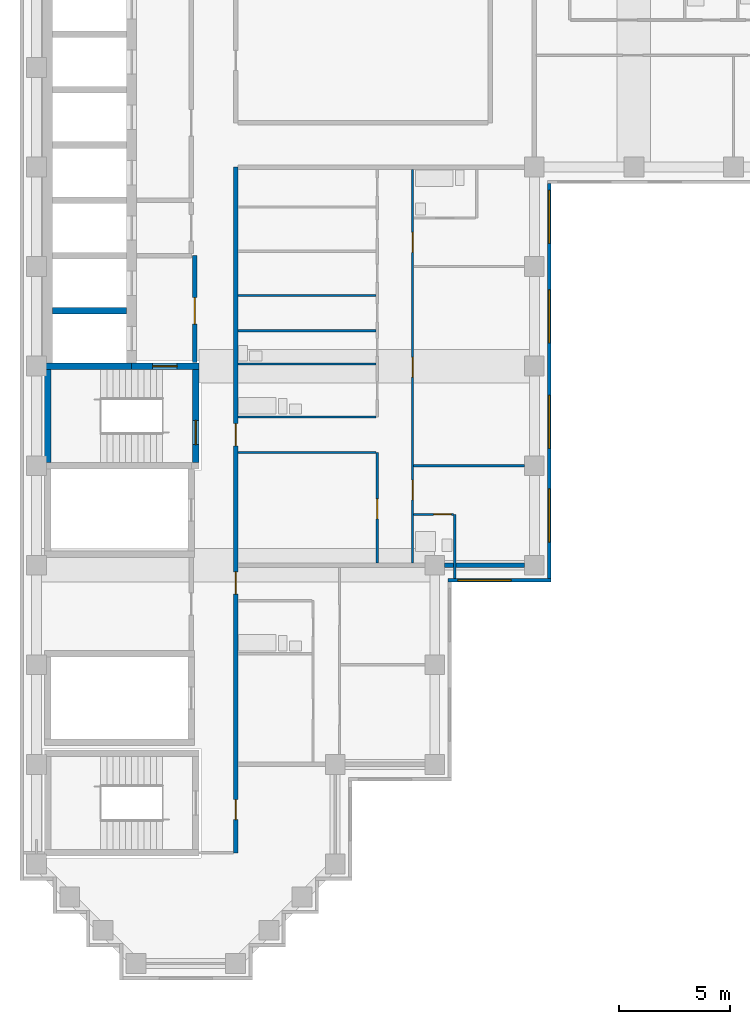
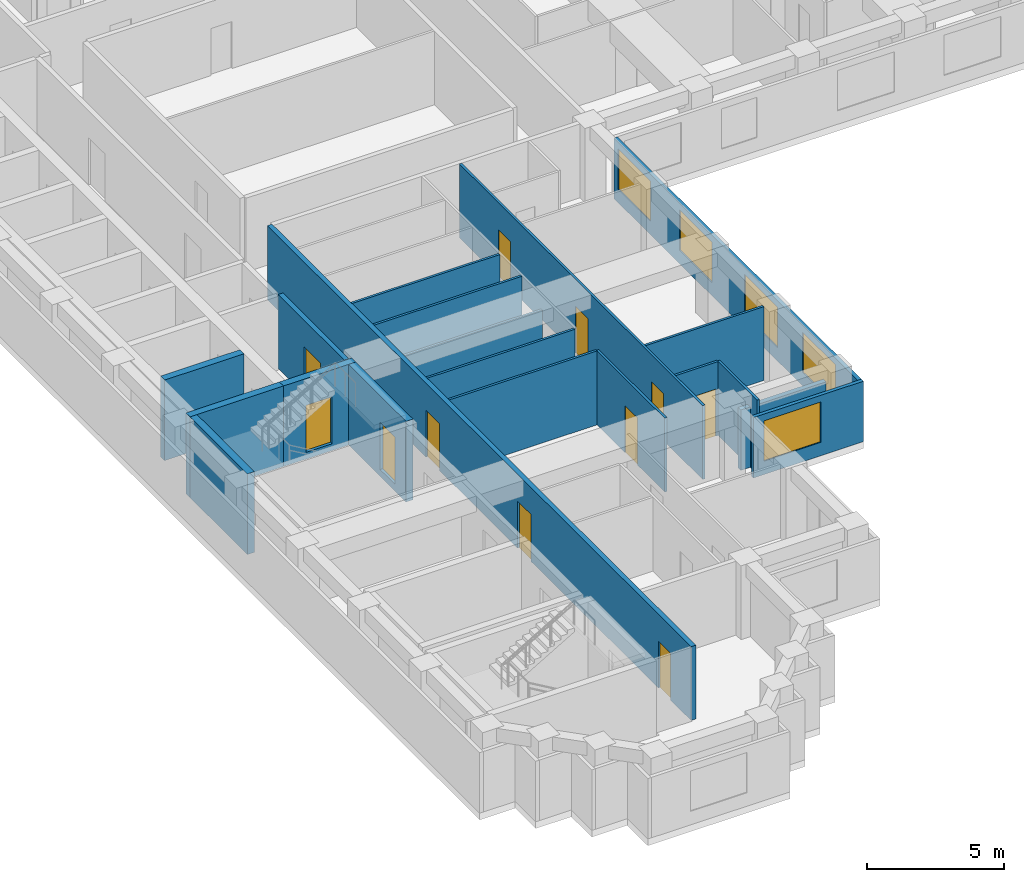
# One storey, part 3 of 10: 20 walls, 11 doors, 5 windows, 16 openings.
"""IFC4 building model written with IfcOpenShell, lengths in metres."""

from ifc_helpers import new_model, si_unit, direction, frame, frame_2d, origin, place, context, subcontext, project, spatial, rectangle, extrude, material, layer, layer_set, type_object, element, fill, save


model = new_model("IFC4")

# Units and contexts
model_context = context("Model", 3, precision=1e-05, world=origin(), true_north=direction((0.0, 1.0)))
body_context = subcontext(model_context, "Body", "Model", "MODEL_VIEW")
ifc_project = project(units=[si_unit("LENGTHUNIT", "METRE"), si_unit("AREAUNIT", "SQUARE_METRE"), si_unit("VOLUMEUNIT", "CUBIC_METRE"), si_unit("PLANEANGLEUNIT", "RADIAN"), si_unit("MASSUNIT", "GRAM", prefix="KILO")], contexts=[model_context])

# Site, building, storey
site_placement = place(None, origin())
site = spatial("IfcSite", under=ifc_project, at=site_placement, CompositionType="ELEMENT")
building_placement = place(site_placement, origin())
building = spatial("IfcBuilding", under=site, at=building_placement, Name="Firuza Court", CompositionType="ELEMENT")
storey_placement = place(building_placement, frame((0.0, 0.0, 197.0)))
storey = spatial("IfcBuildingStorey", under=building, at=storey_placement, Name="L50", CompositionType="ELEMENT", Elevation=197.0)

# Wall
ifc_material_1 = material(Name="Moisture-resistant gypsum board partition")
ifc_layer_1 = layer(ifc_material_1, 0.10009765625)
ifc_layer_set_1 = layer_set([ifc_layer_1], Name="Moisture-resistant gypsum board partition")
wall_type_1 = type_object("IfcWallType", Name="Bathroom partition 100", PredefinedType="PLUMBINGWALL", material=ifc_layer_set_1)
wall_1_placement = place(storey_placement, frame((18.89990234375, 17.39990234375, 0.0), z_axis=(0.0, 0.0, 1.0), x_axis=(0.0, 1.0, 0.0)))
element("IfcWall", 1, at=wall_1_placement, inside=storey, type_object=wall_type_1, Name="Bathroom partition 100 L50", PredefinedType="PLUMBINGWALL", context=body_context, shape_type="SweptSolid", body=[
    extrude(rectangle(XDim=2.900146484375, YDim=0.10009765625, at=frame_2d((1.4501953125, 0.0))), origin(), (0.0, 0.0, 1.0), 3.300048828125),
])

# Wall, opening, door
wall_2_placement = place(storey_placement, frame((17.050048828125, 20.300048828125, 0.0), z_axis=(0.0, 0.0, 1.0), x_axis=(1.0, 0.0, 0.0)))
wall_2 = element("IfcWall", 2, at=wall_2_placement, inside=storey, type_object=wall_type_1, Name="Bathroom partition 100 L50", PredefinedType="PLUMBINGWALL", context=body_context, shape_type="SweptSolid", body=[
    extrude(rectangle(XDim=1.800048828125, YDim=0.10009765625, at=frame_2d((0.89990234375, 0.0))), origin(), (0.0, 0.0, 1.0), 3.300048828125),
])
opening_1_placement = place(wall_2_placement, frame((0.89990234375, 0.0, 0.0)))
opening_1 = element("IfcOpeningElement", 3, at=opening_1_placement, cuts=wall_2, Name="Opening D50028", PredefinedType="OPENING", context=body_context, shape_type="SweptSolid", body=[
    extrude(rectangle(XDim=0.800048828125, YDim=2.10009765625, at=frame_2d((0.39990234375, 1.050048828125))), frame((0.0, 0.06201171875, 0.0), z_axis=(0.0, -1.0, 0.0), x_axis=(1.0, 0.0, 0.0)), (0.0, 0.0, 1.0), 0.1240234375),
])
ifc_material_2 = material(Name="Timber door leaf in hardwood frame", Category="wood")
door_type_1 = type_object("IfcDoorType", Name="Bathroom door 800", OperationType="SINGLE_SWING_LEFT", PredefinedType="DOOR", material=ifc_material_2)
door_1_placement = place(opening_1_placement, frame((0.800048828125, 0.0, 0.0), z_axis=(0.0, 0.0, 1.0), x_axis=(-1.0, 0.0, 0.0)))
door_1 = element("IfcDoor", 4, at=door_1_placement, inside=storey, type_object=door_type_1, Name="En-suite door", OperationType="SINGLE_SWING_LEFT", OverallHeight=2.10009765625, OverallWidth=0.800048828125, PredefinedType="DOOR", context=body_context, shape_type="SweptSolid", body=[
    extrude(rectangle(XDim=0.800048828125, YDim=2.10009765625, at=frame_2d((0.39990234375, 1.050048828125))), frame((0.0, 0.02490234375, 0.0), z_axis=(0.0, -1.0, 0.0), x_axis=(1.0, 0.0, 0.0)), (0.0, 0.0, 1.0), 0.050048828125),
])
fill(opening_1, door_1)

# Walls
wall_3_placement = place(storey_placement, frame((9.10009765625, 24.699951171875, 0.0), z_axis=(0.0, 0.0, 1.0), x_axis=(1.0, 0.0, 0.0)))
element("IfcWall", 5, at=wall_3_placement, inside=storey, type_object=wall_type_1, Name="Bathroom partition 100 L50", PredefinedType="PLUMBINGWALL", context=body_context, shape_type="SweptSolid", body=[
    extrude(rectangle(XDim=6.25, YDim=0.10009765625, at=frame_2d((3.125, 0.0))), origin(), (0.0, 0.0, 1.0), 3.300048828125),
])
wall_4_placement = place(storey_placement, frame((9.10009765625, 27.10009765625, 0.0), z_axis=(0.0, 0.0, 1.0), x_axis=(1.0, 0.0, 0.0)))
element("IfcWall", 6, at=wall_4_placement, inside=storey, type_object=wall_type_1, Name="Bathroom partition 100 L50", PredefinedType="PLUMBINGWALL", context=body_context, shape_type="SweptSolid", body=[
    extrude(rectangle(XDim=6.25, YDim=0.10009765625, at=frame_2d((3.125, 0.0))), origin(), (0.0, 0.0, 1.0), 2.699951171875),
])
wall_5_placement = place(storey_placement, frame((9.10009765625, 28.60009765625, 0.0), z_axis=(0.0, 0.0, 1.0), x_axis=(1.0, 0.0, 0.0)))
element("IfcWall", 7, at=wall_5_placement, inside=storey, type_object=wall_type_1, Name="Bathroom partition 100 L50", PredefinedType="PLUMBINGWALL", context=body_context, shape_type="SweptSolid", body=[
    extrude(rectangle(XDim=6.25, YDim=0.10009765625, at=frame_2d((3.125, 0.0))), origin(), (0.0, 0.0, 1.0), 3.300048828125),
])
ifc_material_3 = material(Name="Concrete C50/60", Category="concrete")
ifc_layer_2 = layer(ifc_material_3, 0.300048828125)
ifc_layer_set_2 = layer_set([ifc_layer_2], Name="Concrete C50/60")
wall_type_2 = type_object("IfcWallType", Name="Core wall 300 C50/60", PredefinedType="SHEAR", material=ifc_layer_set_2)
wall_6_placement = place(storey_placement, frame((0.35009765625, 27.0, -0.300048828125), z_axis=(0.0, 0.0, 1.0), x_axis=(1.0, 0.0, 0.0)))
element("IfcWall", 8, at=wall_6_placement, inside=storey, type_object=wall_type_2, Name="Core wall lift shaft L50", PredefinedType="SHEAR", context=body_context, shape_type="SweptSolid", body=[
    extrude(rectangle(XDim=3.949951171875, YDim=0.300048828125, at=frame_2d((1.97509765625, 0.0))), origin(), (0.0, 0.0, 1.0), 3.60009765625),
])
wall_7_placement = place(storey_placement, frame((0.5, 22.64990234375, -0.300048828125), z_axis=(0.0, 0.0, 1.0), x_axis=(0.0, 1.0, 0.0)))
element("IfcWall", 9, at=wall_7_placement, inside=storey, type_object=wall_type_2, Name="Core wall stair L50", PredefinedType="SHEAR", context=body_context, shape_type="SweptSolid", body=[
    extrude(rectangle(XDim=4.2001953125, YDim=0.300048828125, at=frame_2d((2.10009765625, 0.0))), origin(), (0.0, 0.0, 1.0), 3.60009765625),
])
wall_8_placement = place(storey_placement, frame((0.72509765625, 29.5, -0.300048828125), z_axis=(0.0, 0.0, 1.0), x_axis=(1.0, 0.0, 0.0)))
element("IfcWall", 10, at=wall_8_placement, inside=storey, type_object=wall_type_2, Name="Core wall lift shaft L50", PredefinedType="SHEAR", context=body_context, shape_type="SweptSolid", body=[
    extrude(rectangle(XDim=3.349853515625, YDim=0.300048828125, at=frame_2d((1.6748046875, 0.0))), origin(), (0.0, 0.0, 1.0), 3.60009765625),
])

# Wall, opening, door
wall_9_placement = place(storey_placement, frame((4.300048828125, 27.0, -0.300048828125), z_axis=(0.0, 0.0, 1.0), x_axis=(1.0, 0.0, 0.0)))
wall_9 = element("IfcWall", 11, at=wall_9_placement, inside=storey, type_object=wall_type_2, Name="Core wall stair L50", PredefinedType="SHEAR", context=body_context, shape_type="SweptSolid", body=[
    extrude(rectangle(XDim=3.050048828125, YDim=0.300048828125, at=frame_2d((1.52490234375, 0.0))), origin(), (0.0, 0.0, 1.0), 3.60009765625),
])
opening_2_placement = place(wall_9_placement, frame((0.949951171875, 0.0, 0.300048828125)))
opening_2 = element("IfcOpeningElement", 12, at=opening_2_placement, cuts=wall_9, Name="Opening D50012", PredefinedType="OPENING", context=body_context, shape_type="SweptSolid", body=[
    extrude(rectangle(XDim=1.10009765625, YDim=2.10009765625, at=frame_2d((0.550048828125, 1.050048828125))), frame((0.0, 0.162109375, 0.0), z_axis=(0.0, -1.0, 0.0), x_axis=(1.0, 0.0, 0.0)), (0.0, 0.0, 1.0), 0.323974609375),
])
ifc_material_4 = material(Name="Timber door leaf in hardwood frame", Category="wood")
door_type_2 = type_object("IfcDoorType", Name="Stair door 1100", OperationType="SINGLE_SWING_LEFT", PredefinedType="DOOR", material=ifc_material_4)
door_2_placement = place(opening_2_placement, frame((1.10009765625, 0.0, 0.0), z_axis=(0.0, 0.0, 1.0), x_axis=(-1.0, 0.0, 0.0)))
door_2 = element("IfcDoor", 13, at=door_2_placement, inside=storey, type_object=door_type_2, Name="Fire-fighting lobby door", OperationType="SINGLE_SWING_LEFT", OverallHeight=2.10009765625, OverallWidth=1.10009765625, PredefinedType="DOOR", context=body_context, shape_type="SweptSolid", body=[
    extrude(rectangle(XDim=1.10009765625, YDim=2.10009765625, at=frame_2d((0.550048828125, 1.050048828125))), frame((0.0, 0.02490234375, 0.0), z_axis=(0.0, -1.0, 0.0), x_axis=(1.0, 0.0, 0.0)), (0.0, 0.0, 1.0), 0.050048828125),
])
fill(opening_2, door_2)

wall_10_placement = place(storey_placement, frame((7.199951171875, 22.64990234375, -0.300048828125), z_axis=(0.0, 0.0, 1.0), x_axis=(0.0, 1.0, 0.0)))
wall_10 = element("IfcWall", 14, at=wall_10_placement, inside=storey, type_object=wall_type_2, Name="Core wall stair L50", PredefinedType="SHEAR", context=body_context, shape_type="SweptSolid", body=[
    extrude(rectangle(XDim=4.2001953125, YDim=0.300048828125, at=frame_2d((2.10009765625, 0.0))), origin(), (0.0, 0.0, 1.0), 3.60009765625),
])
opening_3_placement = place(wall_10_placement, frame((0.800048828125, 0.0, 0.300048828125)))
opening_3 = element("IfcOpeningElement", 15, at=opening_3_placement, cuts=wall_10, Name="Opening D50013", PredefinedType="OPENING", context=body_context, shape_type="SweptSolid", body=[
    extrude(rectangle(XDim=1.10009765625, YDim=2.10009765625, at=frame_2d((0.550048828125, 1.050048828125))), frame((0.0, 0.162109375, 0.0), z_axis=(0.0, -1.0, 0.0), x_axis=(1.0, 0.0, 0.0)), (0.0, 0.0, 1.0), 0.323974609375),
])
door_3_placement = place(opening_3_placement, origin())
door_3 = element("IfcDoor", 16, at=door_3_placement, inside=storey, type_object=door_type_2, Name="Stair door S2", OperationType="SINGLE_SWING_LEFT", OverallHeight=2.10009765625, OverallWidth=1.10009765625, PredefinedType="DOOR", context=body_context, shape_type="SweptSolid", body=[
    extrude(rectangle(XDim=1.10009765625, YDim=2.10009765625, at=frame_2d((0.550048828125, 1.050048828125))), frame((0.0, 0.02490234375, 0.0), z_axis=(0.0, -1.0, 0.0), x_axis=(1.0, 0.0, 0.0)), (0.0, 0.0, 1.0), 0.050048828125),
])
fill(opening_3, door_3)

# Wall, openings, doors
ifc_material_5 = material(Name="Blockwork, plastered both sides", Category="masonry")
ifc_layer_3 = layer(ifc_material_5, 0.199951171875)
ifc_layer_set_3 = layer_set([ifc_layer_3], Name="Blockwork, plastered both sides")
wall_type_3 = type_object("IfcWallType", Name="Corridor wall 200", PredefinedType="PARTITIONING", material=ifc_layer_set_3)
wall_11_placement = place(storey_placement, frame((9.0, 5.0, 0.0), z_axis=(0.0, 0.0, 1.0), x_axis=(0.0, 1.0, 0.0)))
wall_11 = element("IfcWall", 17, at=wall_11_placement, inside=storey, type_object=wall_type_3, Name="Corridor wall 200 L50", PredefinedType="PARTITIONING", context=body_context, shape_type="SweptSolid", body=[
    extrude(rectangle(XDim=31.0, YDim=0.199951171875, at=frame_2d((15.5, 0.0))), origin(), (0.0, 0.0, 1.0), 3.300048828125),
])
opening_4_placement = place(wall_11_placement, frame((18.39990234375, 0.0, 0.0)))
opening_4 = element("IfcOpeningElement", 18, at=opening_4_placement, cuts=wall_11, Name="Opening D50016", PredefinedType="OPENING", context=body_context, shape_type="SweptSolid", body=[
    extrude(rectangle(XDim=1.0, YDim=2.10009765625, at=frame_2d((0.5, 1.050048828125))), frame((0.0, 0.11181640625, 0.0), z_axis=(0.0, -1.0, 0.0), x_axis=(1.0, 0.0, 0.0)), (0.0, 0.0, 1.0), 0.223876953125),
])
opening_5_placement = place(wall_11_placement, frame((11.699951171875, 0.0, 0.0)))
opening_5 = element("IfcOpeningElement", 19, at=opening_5_placement, cuts=wall_11, Name="Opening D50017", PredefinedType="OPENING", context=body_context, shape_type="SweptSolid", body=[
    extrude(rectangle(XDim=1.0, YDim=2.10009765625, at=frame_2d((0.5, 1.050048828125))), frame((0.0, 0.11181640625, 0.0), z_axis=(0.0, -1.0, 0.0), x_axis=(1.0, 0.0, 0.0)), (0.0, 0.0, 1.0), 0.223876953125),
])
opening_6_placement = place(wall_11_placement, frame((1.5, 0.0, 0.0)))
opening_6 = element("IfcOpeningElement", 20, at=opening_6_placement, cuts=wall_11, Name="Opening D50018", PredefinedType="OPENING", context=body_context, shape_type="SweptSolid", body=[
    extrude(rectangle(XDim=0.89990234375, YDim=2.10009765625, at=frame_2d((0.449951171875, 1.050048828125))), frame((0.0, 0.11181640625, 0.0), z_axis=(0.0, -1.0, 0.0), x_axis=(1.0, 0.0, 0.0)), (0.0, 0.0, 1.0), 0.223876953125),
])
ifc_material_6 = material(Name="Timber door leaf in hardwood frame", Category="wood")
door_type_3 = type_object("IfcDoorType", Name="Flat entrance door 1000", OperationType="SINGLE_SWING_LEFT", PredefinedType="DOOR", material=ifc_material_6)
door_4_placement = place(opening_4_placement, origin())
door_4 = element("IfcDoor", 21, at=door_4_placement, inside=storey, type_object=door_type_3, Name="Flat entrance door", OperationType="SINGLE_SWING_LEFT", OverallHeight=2.10009765625, OverallWidth=1.0, PredefinedType="DOOR", context=body_context, shape_type="SweptSolid", body=[
    extrude(rectangle(XDim=1.0, YDim=2.10009765625, at=frame_2d((0.5, 1.050048828125))), frame((0.0, 0.02490234375, 0.0), z_axis=(0.0, -1.0, 0.0), x_axis=(1.0, 0.0, 0.0)), (0.0, 0.0, 1.0), 0.050048828125),
])
fill(opening_4, door_4)
door_5_placement = place(opening_5_placement, origin())
door_5 = element("IfcDoor", 22, at=door_5_placement, inside=storey, type_object=door_type_3, Name="Flat entrance door", OperationType="SINGLE_SWING_LEFT", OverallHeight=2.10009765625, OverallWidth=1.0, PredefinedType="DOOR", context=body_context, shape_type="SweptSolid", body=[
    extrude(rectangle(XDim=1.0, YDim=2.10009765625, at=frame_2d((0.5, 1.050048828125))), frame((0.0, 0.02490234375, 0.0), z_axis=(0.0, -1.0, 0.0), x_axis=(1.0, 0.0, 0.0)), (0.0, 0.0, 1.0), 0.050048828125),
])
fill(opening_5, door_5)
ifc_material_7 = material(Name="Timber door leaf in hardwood frame", Category="wood")
door_type_4 = type_object("IfcDoorType", Name="Room door 900 EI 30", OperationType="SINGLE_SWING_LEFT", PredefinedType="DOOR", material=ifc_material_7)
door_6_placement = place(opening_6_placement, frame((0.89990234375, 0.0, 0.0), z_axis=(0.0, 0.0, 1.0), x_axis=(-1.0, 0.0, 0.0)))
door_6 = element("IfcDoor", 23, at=door_6_placement, inside=storey, type_object=door_type_4, Name="Music room door", OperationType="SINGLE_SWING_LEFT", OverallHeight=2.10009765625, OverallWidth=0.89990234375, PredefinedType="DOOR", context=body_context, shape_type="SweptSolid", body=[
    extrude(rectangle(XDim=0.89990234375, YDim=2.10009765625, at=frame_2d((0.449951171875, 1.050048828125))), frame((0.0, 0.02490234375, 0.0), z_axis=(0.0, -1.0, 0.0), x_axis=(1.0, 0.0, 0.0)), (0.0, 0.0, 1.0), 0.050048828125),
])
fill(opening_6, door_6)

# Wall, opening, door
ifc_material_8 = material(Name="Timber stud partition, plasterboard both sides", Category="wood")
ifc_layer_4 = layer(ifc_material_8, 0.10009765625)
ifc_layer_set_4 = layer_set([ifc_layer_4], Name="Timber stud partition, plasterboard both sides")
wall_type_4 = type_object("IfcWallType", Name="Partition wall 100", PredefinedType="PARTITIONING", material=ifc_layer_set_4)
wall_12_placement = place(storey_placement, frame((15.39990234375, 18.10009765625, 0.0), z_axis=(0.0, 0.0, 1.0), x_axis=(0.0, 1.0, 0.0)))
wall_12 = element("IfcWall", 24, at=wall_12_placement, inside=storey, type_object=wall_type_4, Name="Partition wall 100 L50", PredefinedType="PARTITIONING", context=body_context, shape_type="SweptSolid", body=[
    extrude(rectangle(XDim=5.0, YDim=0.10009765625, at=frame_2d((2.5, 0.0))), origin(), (0.0, 0.0, 1.0), 3.300048828125),
])
opening_7_placement = place(wall_12_placement, frame((2.0, 0.0, 0.0)))
opening_7 = element("IfcOpeningElement", 25, at=opening_7_placement, cuts=wall_12, Name="Opening D50024", PredefinedType="OPENING", context=body_context, shape_type="SweptSolid", body=[
    extrude(rectangle(XDim=0.89990234375, YDim=2.10009765625, at=frame_2d((0.449951171875, 1.050048828125))), frame((0.0, 0.06201171875, 0.0), z_axis=(0.0, -1.0, 0.0), x_axis=(1.0, 0.0, 0.0)), (0.0, 0.0, 1.0), 0.1240234375),
])
ifc_material_9 = material(Name="Timber door leaf in hardwood frame", Category="wood")
door_type_5 = type_object("IfcDoorType", Name="Room door 900", OperationType="SINGLE_SWING_LEFT", PredefinedType="DOOR", material=ifc_material_9)
door_7_placement = place(opening_7_placement, origin())
door_7 = element("IfcDoor", 26, at=door_7_placement, inside=storey, type_object=door_type_5, Name="Kitchen door", OperationType="SINGLE_SWING_LEFT", OverallHeight=2.10009765625, OverallWidth=0.89990234375, PredefinedType="DOOR", context=body_context, shape_type="SweptSolid", body=[
    extrude(rectangle(XDim=0.89990234375, YDim=2.10009765625, at=frame_2d((0.449951171875, 1.050048828125))), frame((0.0, 0.02490234375, 0.0), z_axis=(0.0, -1.0, 0.0), x_axis=(1.0, 0.0, 0.0)), (0.0, 0.0, 1.0), 0.050048828125),
])
fill(opening_7, door_7)

# Wall, openings, doors
wall_13_placement = place(storey_placement, frame((17.0, 18.10009765625, 0.0), z_axis=(0.0, 0.0, 1.0), x_axis=(0.0, 1.0, 0.0)))
wall_13 = element("IfcWall", 27, at=wall_13_placement, inside=storey, type_object=wall_type_4, Name="Partition wall 100 L50", PredefinedType="PARTITIONING", context=body_context, shape_type="SweptSolid", body=[
    extrude(rectangle(XDim=17.7998046875, YDim=0.10009765625, at=frame_2d((8.89990234375, 0.0))), origin(), (0.0, 0.0, 1.0), 3.300048828125),
])
opening_8_placement = place(wall_13_placement, frame((2.85009765625, 0.0, 0.0)))
opening_8 = element("IfcOpeningElement", 28, at=opening_8_placement, cuts=wall_13, Name="Opening D50025", PredefinedType="OPENING", context=body_context, shape_type="SweptSolid", body=[
    extrude(rectangle(XDim=0.89990234375, YDim=2.10009765625, at=frame_2d((0.449951171875, 1.050048828125))), frame((0.0, 0.06201171875, 0.0), z_axis=(0.0, -1.0, 0.0), x_axis=(1.0, 0.0, 0.0)), (0.0, 0.0, 1.0), 0.1240234375),
])
opening_9_placement = place(wall_13_placement, frame((8.39990234375, 0.0, 0.0)))
opening_9 = element("IfcOpeningElement", 29, at=opening_9_placement, cuts=wall_13, Name="Opening D50026", PredefinedType="OPENING", context=body_context, shape_type="SweptSolid", body=[
    extrude(rectangle(XDim=0.89990234375, YDim=2.10009765625, at=frame_2d((0.449951171875, 1.050048828125))), frame((0.0, 0.06201171875, 0.0), z_axis=(0.0, -1.0, 0.0), x_axis=(1.0, 0.0, 0.0)), (0.0, 0.0, 1.0), 0.1240234375),
])
opening_10_placement = place(wall_13_placement, frame((14.050048828125, 0.0, 0.0)))
opening_10 = element("IfcOpeningElement", 30, at=opening_10_placement, cuts=wall_13, Name="Opening D50027", PredefinedType="OPENING", context=body_context, shape_type="SweptSolid", body=[
    extrude(rectangle(XDim=0.89990234375, YDim=2.10009765625, at=frame_2d((0.449951171875, 1.050048828125))), frame((0.0, 0.06201171875, 0.0), z_axis=(0.0, -1.0, 0.0), x_axis=(1.0, 0.0, 0.0)), (0.0, 0.0, 1.0), 0.1240234375),
])
door_8_placement = place(opening_8_placement, frame((0.89990234375, 0.0, 0.0), z_axis=(0.0, 0.0, 1.0), x_axis=(-1.0, 0.0, 0.0)))
door_8 = element("IfcDoor", 31, at=door_8_placement, inside=storey, type_object=door_type_5, Name="Bedroom door", OperationType="SINGLE_SWING_RIGHT", OverallHeight=2.10009765625, OverallWidth=0.89990234375, PredefinedType="DOOR", context=body_context, shape_type="SweptSolid", body=[
    extrude(rectangle(XDim=0.89990234375, YDim=2.10009765625, at=frame_2d((0.449951171875, 1.050048828125))), frame((0.0, 0.02490234375, 0.0), z_axis=(0.0, -1.0, 0.0), x_axis=(1.0, 0.0, 0.0)), (0.0, 0.0, 1.0), 0.050048828125),
])
fill(opening_8, door_8)
door_9_placement = place(opening_9_placement, frame((0.89990234375, 0.0, 0.0), z_axis=(0.0, 0.0, 1.0), x_axis=(-1.0, 0.0, 0.0)))
door_9 = element("IfcDoor", 32, at=door_9_placement, inside=storey, type_object=door_type_5, Name="Living room door", OperationType="SINGLE_SWING_RIGHT", OverallHeight=2.10009765625, OverallWidth=0.89990234375, PredefinedType="DOOR", context=body_context, shape_type="SweptSolid", body=[
    extrude(rectangle(XDim=0.89990234375, YDim=2.10009765625, at=frame_2d((0.449951171875, 1.050048828125))), frame((0.0, 0.02490234375, 0.0), z_axis=(0.0, -1.0, 0.0), x_axis=(1.0, 0.0, 0.0)), (0.0, 0.0, 1.0), 0.050048828125),
])
fill(opening_9, door_9)
door_10_placement = place(opening_10_placement, frame((0.89990234375, 0.0, 0.0), z_axis=(0.0, 0.0, 1.0), x_axis=(-1.0, 0.0, 0.0)))
door_10 = element("IfcDoor", 33, at=door_10_placement, inside=storey, type_object=door_type_5, Name="Bedroom door", OperationType="SINGLE_SWING_RIGHT", OverallHeight=2.10009765625, OverallWidth=0.89990234375, PredefinedType="DOOR", context=body_context, shape_type="SweptSolid", body=[
    extrude(rectangle(XDim=0.89990234375, YDim=2.10009765625, at=frame_2d((0.449951171875, 1.050048828125))), frame((0.0, 0.02490234375, 0.0), z_axis=(0.0, -1.0, 0.0), x_axis=(1.0, 0.0, 0.0)), (0.0, 0.0, 1.0), 0.050048828125),
])
fill(opening_10, door_10)

# Walls
wall_14_placement = place(storey_placement, frame((17.050048828125, 22.5, 0.0), z_axis=(0.0, 0.0, 1.0), x_axis=(1.0, 0.0, 0.0)))
element("IfcWall", 34, at=wall_14_placement, inside=storey, type_object=wall_type_4, Name="Partition wall 100 L50", PredefinedType="PARTITIONING", context=body_context, shape_type="SweptSolid", body=[
    extrude(rectangle(XDim=5.0, YDim=0.10009765625, at=frame_2d((2.5, 0.0))), origin(), (0.0, 0.0, 1.0), 3.300048828125),
])
for number, where, z_axis, x_axis, name in (
    (35, (9.10009765625, 23.10009765625, 0.0), (0.0, 0.0, 1.0), (1.0, 0.0, 0.0), "Partition wall 100 L50"),
    (36, (9.10009765625, 30.199951171875, 0.0), (0.0, 0.0, 1.0), (1.0, 0.0, 0.0), "Partition wall 100 L50"),
):
    element("IfcWall", number, at=place(storey_placement, frame(where, z_axis=z_axis, x_axis=x_axis)), inside=storey, type_object=wall_type_4, Name=name, PredefinedType="PARTITIONING", context=body_context, shape_type="SweptSolid", body=[
        extrude(rectangle(XDim=6.25, YDim=0.10009765625, at=frame_2d((3.125, 0.0))), origin(), (0.0, 0.0, 1.0), 3.300048828125),
    ])
ifc_layer_5 = layer(ifc_material_5, 0.199951171875)
ifc_layer_set_5 = layer_set([ifc_layer_5], Name="Blockwork, plastered both sides")
wall_type_5 = type_object("IfcWallType", Name="Party wall 200", PredefinedType="PARTITIONING", material=ifc_layer_set_5)
wall_15_placement = place(storey_placement, frame((18.449951171875, 18.0, 0.0), z_axis=(0.0, 0.0, 1.0), x_axis=(1.0, 0.0, 0.0)))
element("IfcWall", 37, at=wall_15_placement, inside=storey, type_object=wall_type_5, Name="Party wall 200 L50", PredefinedType="PARTITIONING", context=body_context, shape_type="SweptSolid", body=[
    extrude(rectangle(XDim=3.60009765625, YDim=0.199951171875, at=frame_2d((1.800048828125, 0.0))), origin(), (0.0, 0.0, 1.0), 2.699951171875),
])

# Wall, opening, window
ifc_material_10 = material(Name="Ceramic tile", Category="ceramic")
ifc_layer_6 = layer(ifc_material_10, 0.02001953125)
ifc_material_11 = material(Name="Mineral wool insulation", Category="insulation")
ifc_layer_7 = layer(ifc_material_11, 0.050048828125)
ifc_material_12 = material(Name="Concrete C40/50 precast", Category="concrete")
ifc_layer_8 = layer(ifc_material_12, 0.080078125)
ifc_layer_set_6 = layer_set([ifc_layer_6, ifc_layer_7, ifc_layer_8], Name="Concrete C40/50 precast")
wall_type_6 = type_object("IfcWallType", Name="Precast cladding wall with turquoise TILE PANEL face 150", PredefinedType="STANDARD", material=ifc_layer_set_6)
wall_16_placement = place(storey_placement, frame((18.60009765625, 17.324951171875, 0.0), z_axis=(0.0, 0.0, 1.0), x_axis=(1.0, 0.0, 0.0)))
wall_16 = element("IfcWall", 38, at=wall_16_placement, inside=storey, type_object=wall_type_6, Name="Facade wall L50 S", PredefinedType="STANDARD", context=body_context, shape_type="SweptSolid", body=[
    extrude(rectangle(XDim=4.64990234375, YDim=0.14990234375, at=frame_2d((2.324951171875, 0.0))), origin(), (0.0, 0.0, 1.0), 2.699951171875),
])
opening_11_placement = place(wall_16_placement, frame((0.449951171875, 0.0, 0.60009765625)))
opening_11 = element("IfcOpeningElement", 39, at=opening_11_placement, cuts=wall_16, Name="Opening W1", PredefinedType="OPENING", context=body_context, shape_type="SweptSolid", body=[
    extrude(rectangle(XDim=2.39990234375, YDim=1.800048828125, at=frame_2d((1.199951171875, 0.89990234375))), frame((0.0, 0.0869140625, 0.0), z_axis=(0.0, -1.0, 0.0), x_axis=(1.0, 0.0, 0.0)), (0.0, 0.0, 1.0), 0.173828125),
])
ifc_material_13 = material(Name="Aluminium frame, triple clear glazing", Category="aluminium")
window_type = type_object("IfcWindowType", Name="Window W1 2400 x 1800", PartitioningType="SINGLE_PANEL", PredefinedType="WINDOW", material=ifc_material_13)
window_1_placement = place(opening_11_placement, origin())
window_1 = element("IfcWindow", 40, at=window_1_placement, inside=storey, type_object=window_type, Name="Window L50", OverallHeight=1.800048828125, OverallWidth=2.39990234375, PartitioningType="SINGLE_PANEL", PredefinedType="WINDOW", context=body_context, shape_type="SweptSolid", body=[
    extrude(rectangle(XDim=2.39990234375, YDim=1.800048828125, at=frame_2d((1.199951171875, 0.89990234375))), frame((0.0, 0.030029296875, 0.0), z_axis=(0.0, -1.0, 0.0), x_axis=(1.0, 0.0, 0.0)), (0.0, 0.0, 1.0), 0.06005859375),
])
fill(opening_11, window_1)

# Wall, openings, windows
wall_17_placement = place(storey_placement, frame((23.175048828125, 17.39990234375, 0.0), z_axis=(0.0, 0.0, 1.0), x_axis=(0.0, 1.0, 0.0)))
wall_17 = element("IfcWall", 41, at=wall_17_placement, inside=storey, type_object=wall_type_6, Name="Facade wall L50 E", PredefinedType="STANDARD", context=body_context, shape_type="SweptSolid", body=[
    extrude(rectangle(XDim=17.85009765625, YDim=0.14990234375, at=frame_2d((8.925048828125, 0.0))), origin(), (0.0, 0.0, 1.0), 2.699951171875),
])
opening_12_placement = place(wall_17_placement, frame((1.64990234375, 0.0, 0.60009765625)))
opening_12 = element("IfcOpeningElement", 42, at=opening_12_placement, cuts=wall_17, Name="Opening W1", PredefinedType="OPENING", context=body_context, shape_type="SweptSolid", body=[
    extrude(rectangle(XDim=2.39990234375, YDim=1.800048828125, at=frame_2d((1.199951171875, 0.89990234375))), frame((0.0, 0.0869140625, 0.0), z_axis=(0.0, -1.0, 0.0), x_axis=(1.0, 0.0, 0.0)), (0.0, 0.0, 1.0), 0.173828125),
])
opening_13_placement = place(wall_17_placement, frame((5.885009765625, 0.0, 0.60009765625)))
opening_13 = element("IfcOpeningElement", 43, at=opening_13_placement, cuts=wall_17, Name="Opening W1", PredefinedType="OPENING", context=body_context, shape_type="SweptSolid", body=[
    extrude(rectangle(XDim=2.39990234375, YDim=1.800048828125, at=frame_2d((1.199951171875, 0.89990234375))), frame((0.0, 0.0869140625, 0.0), z_axis=(0.0, -1.0, 0.0), x_axis=(1.0, 0.0, 0.0)), (0.0, 0.0, 1.0), 0.173828125),
])
opening_14_placement = place(wall_17_placement, frame((10.64990234375, 0.0, 0.60009765625)))
opening_14 = element("IfcOpeningElement", 44, at=opening_14_placement, cuts=wall_17, Name="Opening W1", PredefinedType="OPENING", context=body_context, shape_type="SweptSolid", body=[
    extrude(rectangle(XDim=2.39990234375, YDim=1.800048828125, at=frame_2d((1.199951171875, 0.89990234375))), frame((0.0, 0.0869140625, 0.0), z_axis=(0.0, -1.0, 0.0), x_axis=(1.0, 0.0, 0.0)), (0.0, 0.0, 1.0), 0.173828125),
])
opening_15_placement = place(wall_17_placement, frame((15.14990234375, 0.0, 0.60009765625)))
opening_15 = element("IfcOpeningElement", 45, at=opening_15_placement, cuts=wall_17, Name="Opening W1", PredefinedType="OPENING", context=body_context, shape_type="SweptSolid", body=[
    extrude(rectangle(XDim=2.39990234375, YDim=1.800048828125, at=frame_2d((1.199951171875, 0.89990234375))), frame((0.0, 0.0869140625, 0.0), z_axis=(0.0, -1.0, 0.0), x_axis=(1.0, 0.0, 0.0)), (0.0, 0.0, 1.0), 0.173828125),
])
window_2_placement = place(opening_12_placement, origin())
window_2 = element("IfcWindow", 46, at=window_2_placement, inside=storey, type_object=window_type, Name="Window L50", OverallHeight=1.800048828125, OverallWidth=2.39990234375, PartitioningType="SINGLE_PANEL", PredefinedType="WINDOW", context=body_context, shape_type="SweptSolid", body=[
    extrude(rectangle(XDim=2.39990234375, YDim=1.800048828125, at=frame_2d((1.199951171875, 0.89990234375))), frame((0.0, 0.030029296875, 0.0), z_axis=(0.0, -1.0, 0.0), x_axis=(1.0, 0.0, 0.0)), (0.0, 0.0, 1.0), 0.06005859375),
])
fill(opening_12, window_2)
window_3_placement = place(opening_13_placement, origin())
window_3 = element("IfcWindow", 47, at=window_3_placement, inside=storey, type_object=window_type, Name="Window L50", OverallHeight=1.800048828125, OverallWidth=2.39990234375, PartitioningType="SINGLE_PANEL", PredefinedType="WINDOW", context=body_context, shape_type="SweptSolid", body=[
    extrude(rectangle(XDim=2.39990234375, YDim=1.800048828125, at=frame_2d((1.199951171875, 0.89990234375))), frame((0.0, 0.030029296875, 0.0), z_axis=(0.0, -1.0, 0.0), x_axis=(1.0, 0.0, 0.0)), (0.0, 0.0, 1.0), 0.06005859375),
])
fill(opening_13, window_3)
window_4_placement = place(opening_14_placement, origin())
window_4 = element("IfcWindow", 48, at=window_4_placement, inside=storey, type_object=window_type, Name="Window L50", OverallHeight=1.800048828125, OverallWidth=2.39990234375, PartitioningType="SINGLE_PANEL", PredefinedType="WINDOW", context=body_context, shape_type="SweptSolid", body=[
    extrude(rectangle(XDim=2.39990234375, YDim=1.800048828125, at=frame_2d((1.199951171875, 0.89990234375))), frame((0.0, 0.030029296875, 0.0), z_axis=(0.0, -1.0, 0.0), x_axis=(1.0, 0.0, 0.0)), (0.0, 0.0, 1.0), 0.06005859375),
])
fill(opening_14, window_4)
window_5_placement = place(opening_15_placement, origin())
window_5 = element("IfcWindow", 49, at=window_5_placement, inside=storey, type_object=window_type, Name="Window L50", OverallHeight=1.800048828125, OverallWidth=2.39990234375, PartitioningType="SINGLE_PANEL", PredefinedType="WINDOW", context=body_context, shape_type="SweptSolid", body=[
    extrude(rectangle(XDim=2.39990234375, YDim=1.800048828125, at=frame_2d((1.199951171875, 0.89990234375))), frame((0.0, 0.030029296875, 0.0), z_axis=(0.0, -1.0, 0.0), x_axis=(1.0, 0.0, 0.0)), (0.0, 0.0, 1.0), 0.06005859375),
])
fill(opening_15, window_5)

# Wall, opening, door
ifc_material_14 = material(Name="Blockwork, fire-rated", Category="masonry")
ifc_layer_9 = layer(ifc_material_14, 0.199951171875)
ifc_layer_set_7 = layer_set([ifc_layer_9], Name="Blockwork, fire-rated")
wall_type_7 = type_object("IfcWallType", Name="Shaft wall 200", PredefinedType="PARTITIONING", material=ifc_layer_set_7)
wall_18_placement = place(storey_placement, frame((7.14990234375, 27.169921875, 0.0), z_axis=(0.0, 0.0, 1.0), x_axis=(0.0, 1.0, 0.0)))
wall_18 = element("IfcWall", 50, at=wall_18_placement, inside=storey, type_object=wall_type_7, Name="Shaft wall 200 L50", PredefinedType="PARTITIONING", context=body_context, shape_type="SweptSolid", body=[
    extrude(rectangle(XDim=4.830078125, YDim=0.199951171875, at=frame_2d((2.4150390625, 0.0))), origin(), (0.0, 0.0, 1.0), 3.300048828125),
])
opening_16_placement = place(wall_18_placement, frame((1.72998046875, 0.0, 0.0)))
opening_16 = element("IfcOpeningElement", 51, at=opening_16_placement, cuts=wall_18, Name="Opening D50002", PredefinedType="OPENING", context=body_context, shape_type="SweptSolid", body=[
    extrude(rectangle(XDim=1.199951171875, YDim=2.10009765625, at=frame_2d((0.60009765625, 1.050048828125))), frame((0.0, 0.11181640625, 0.0), z_axis=(0.0, -1.0, 0.0), x_axis=(1.0, 0.0, 0.0)), (0.0, 0.0, 1.0), 0.223876953125),
])
ifc_material_15 = material(Name="Timber door leaf in hardwood frame", Category="wood")
door_type_6 = type_object("IfcDoorType", Name="Lobby door 1200", OperationType="SINGLE_SWING_LEFT", PredefinedType="DOOR", material=ifc_material_15)
door_11_placement = place(opening_16_placement, origin())
door_11 = element("IfcDoor", 52, at=door_11_placement, inside=storey, type_object=door_type_6, Name="Fire-fighting lobby door", OperationType="SINGLE_SWING_LEFT", OverallHeight=2.10009765625, OverallWidth=1.199951171875, PredefinedType="DOOR", context=body_context, shape_type="SweptSolid", body=[
    extrude(rectangle(XDim=1.199951171875, YDim=2.10009765625, at=frame_2d((0.60009765625, 1.050048828125))), frame((0.0, 0.02490234375, 0.0), z_axis=(0.0, -1.0, 0.0), x_axis=(1.0, 0.0, 0.0)), (0.0, 0.0, 1.0), 0.050048828125),
])
fill(opening_16, door_11)

save(model, "model.ifc")
